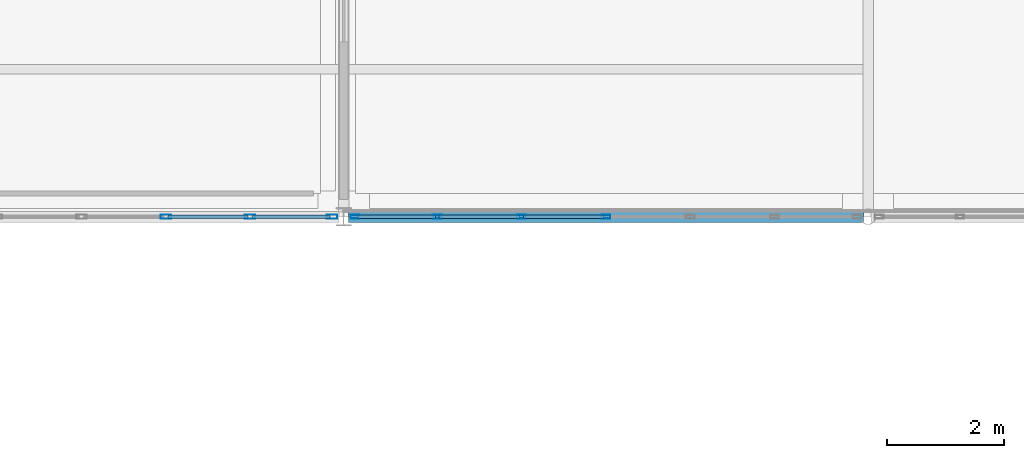
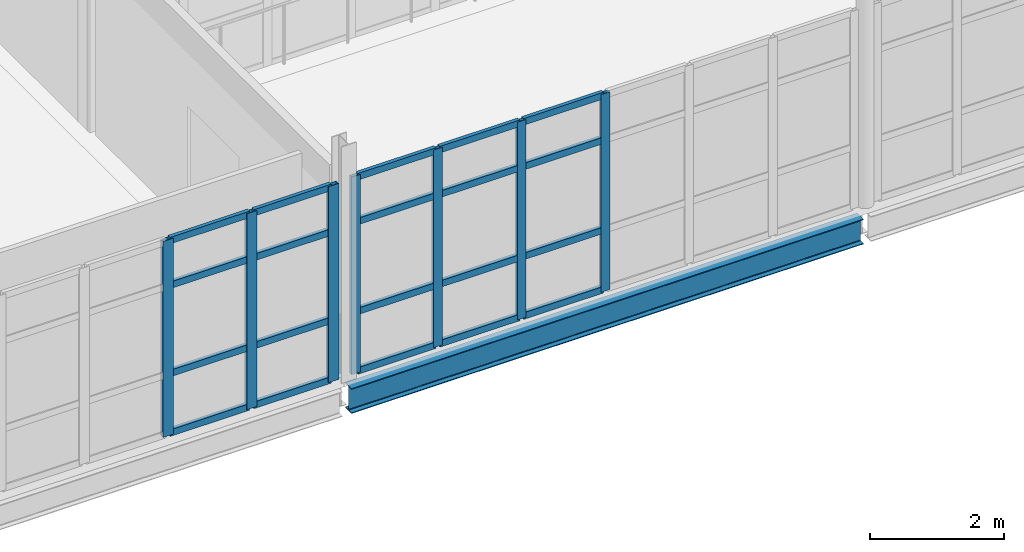
# One storey, part 92 of 174: 27 members, 1 beam, 2 elements without a shape of their own.
"""IFC4 building model written with IfcOpenShell, lengths in metres."""

from ifc_helpers import new_model, si_unit, direction, frame, origin, origin_2d, place, context, subcontext, project, spatial, hollow_rectangle, i_section, extrude, material, material_profile, profile_set, type_object, element, aggregate, save


model = new_model("IFC4")

# Units and contexts
model_context = context("Model", 3, precision=1e-05, world=origin(), true_north=direction((0.0, 1.0)))
body_context = subcontext(model_context, "Body", "Model", "MODEL_VIEW")
ifc_project = project(units=[si_unit("LENGTHUNIT", "METRE"), si_unit("AREAUNIT", "SQUARE_METRE"), si_unit("VOLUMEUNIT", "CUBIC_METRE"), si_unit("PLANEANGLEUNIT", "RADIAN"), si_unit("MASSUNIT", "GRAM", prefix="KILO")], contexts=[model_context])

# Site, building, storey
site_placement = place(None, origin())
site = spatial("IfcSite", under=ifc_project, at=site_placement, CompositionType="ELEMENT")
building_placement = place(site_placement, origin())
building = spatial("IfcBuilding", under=site, at=building_placement, Name="Caisbarro Railhouse Central Library", CompositionType="ELEMENT")
storey_placement = place(building_placement, frame((0.0, 0.0, 5.0400390625)))
storey = spatial("IfcBuildingStorey", under=building, at=storey_placement, Name="L01", CompositionType="ELEMENT", Elevation=5.0400390625)

# Beam
ifc_material_1 = material(Name="Steel ASTM A572 Grade 50", Category="steel")
ifc_material_profile_1 = material_profile(ifc_material_1, i_section(OverallWidth=0.18994140625, OverallDepth=0.45703125, WebThickness=0.009033203125, FlangeThickness=0.014404296875, FilletRadius=0.01806640625, at=origin_2d()), Name="W460X74.0")
ifc_profile_set_1 = profile_set([ifc_material_profile_1], Name="Steel ASTM A572 Grade 50")
beam_type = type_object("IfcBeamType", Name="BM-SP01", PredefinedType="SPANDREL", material=ifc_profile_set_1)
beam_placement = place(storey_placement, frame((99.080078125, 83.60009765625, -0.428466796875), z_axis=(1.0, 0.0, 0.0), x_axis=(0.0, 1.0, 0.0)))
element("IfcBeam", 1, at=beam_placement, inside=storey, type_object=beam_type, Name="SP01 beam L01 #1260", PredefinedType="SPANDREL", context=body_context, shape_type="SweptSolid", body=[
    extrude(i_section(OverallWidth=0.18994140625, OverallDepth=0.45703125, WebThickness=0.009033203125, FlangeThickness=0.014404296875, FilletRadius=0.01806640625, at=origin_2d()), origin(), (0.0, 0.0, 1.0), 8.83984375),
])

# Curtain wall, members
ifc_material_2 = material(Name="Anodised architectural aluminium", Category="aluminium")
curtain_wall_type_1 = type_object("IfcCurtainWallType", Name="CW-CW02", PredefinedType="NOTDEFINED", material=ifc_material_2)
curtain_wall_1_placement = place(storey_placement, origin())
curtain_wall_1 = element("IfcCurtainWall", 2, at=curtain_wall_1_placement, inside=storey, type_object=curtain_wall_type_1, Name="CW02 curtain wall L01 #178", PredefinedType="NOTDEFINED")
ifc_material_profile_2 = material_profile(ifc_material_2, hollow_rectangle(XDim=0.074951171875, YDim=0.179931640625, WallThickness=0.00439453125, at=origin_2d()), Name="ALU-MUL-75X180")
ifc_profile_set_2 = profile_set([ifc_material_profile_2], Name="Anodised architectural aluminium")
member_type_1 = type_object("IfcMemberType", Name="CWM-M01", PredefinedType="MULLION", material=ifc_profile_set_2)
member_1_placement = place(storey_placement, frame((95.94677734375, 83.60009765625, 0.0), z_axis=(0.0, 0.0, 1.0), x_axis=(0.0, 1.0, 0.0)))
member_1 = element("IfcMember", 3, at=member_1_placement, type_object=member_type_1, Name="CW02 mullion 5", PredefinedType="MULLION", context=body_context, shape_type="SweptSolid", body=[
    extrude(hollow_rectangle(XDim=0.074951171875, YDim=0.179931640625, WallThickness=0.00439453125, at=origin_2d()), origin(), (0.0, 0.0, 1.0), 3.580078125),
])
member_2_placement = place(storey_placement, frame((97.393310546875, 83.60009765625, 0.0), z_axis=(0.0, 0.0, 1.0), x_axis=(0.0, 1.0, 0.0)))
member_2 = element("IfcMember", 4, at=member_2_placement, type_object=member_type_1, Name="CW02 mullion 6", PredefinedType="MULLION", context=body_context, shape_type="SweptSolid", body=[
    extrude(hollow_rectangle(XDim=0.074951171875, YDim=0.179931640625, WallThickness=0.00439453125, at=origin_2d()), origin(), (0.0, 0.0, 1.0), 3.580078125),
])
member_3_placement = place(storey_placement, frame((98.802490234375, 83.60009765625, 0.0), z_axis=(0.0, 0.0, 1.0), x_axis=(0.0, 1.0, 0.0)))
member_3 = element("IfcMember", 5, at=member_3_placement, type_object=member_type_1, Name="CW02 mullion 7", PredefinedType="MULLION", context=body_context, shape_type="SweptSolid", body=[
    extrude(hollow_rectangle(XDim=0.074951171875, YDim=0.179931640625, WallThickness=0.00439453125, at=origin_2d()), origin(), (0.0, 0.0, 1.0), 3.580078125),
])

curtain_wall_type_2 = type_object("IfcCurtainWallType", Name="CW-CW03", PredefinedType="NOTDEFINED", material=ifc_material_2)
curtain_wall_2_placement = place(storey_placement, origin())
curtain_wall_2 = element("IfcCurtainWall", 6, at=curtain_wall_2_placement, inside=storey, type_object=curtain_wall_type_2, Name="CW03 curtain wall L01 #198", PredefinedType="NOTDEFINED")
ifc_material_profile_3 = material_profile(ifc_material_2, hollow_rectangle(XDim=0.06494140625, YDim=0.14990234375, WallThickness=0.00390625, at=origin_2d()), Name="ALU-MUL-65X150")
ifc_profile_set_3 = profile_set([ifc_material_profile_3], Name="Anodised architectural aluminium")
member_type_2 = type_object("IfcMemberType", Name="CWM-M02", PredefinedType="MULLION", material=ifc_profile_set_3)
member_4_placement = place(storey_placement, frame((99.1923828125, 83.60009765625, 0.0), z_axis=(0.0, 0.0, 1.0), x_axis=(0.0, 1.0, 0.0)))
member_4 = element("IfcMember", 7, at=member_4_placement, type_object=member_type_2, Name="CW03 mullion 1", PredefinedType="MULLION", context=body_context, shape_type="SweptSolid", body=[
    extrude(hollow_rectangle(XDim=0.06494140625, YDim=0.14990234375, WallThickness=0.00390625, at=origin_2d()), origin(), (0.0, 0.0, 1.0), 3.60986328125),
])
member_5_placement = place(storey_placement, frame((100.606689453125, 83.60009765625, 0.0), z_axis=(0.0, 0.0, 1.0), x_axis=(0.0, 1.0, 0.0)))
member_5 = element("IfcMember", 8, at=member_5_placement, type_object=member_type_2, Name="CW03 mullion 2", PredefinedType="MULLION", context=body_context, shape_type="SweptSolid", body=[
    extrude(hollow_rectangle(XDim=0.06494140625, YDim=0.14990234375, WallThickness=0.00390625, at=origin_2d()), origin(), (0.0, 0.0, 1.0), 3.60986328125),
])
member_6_placement = place(storey_placement, frame((102.05322265625, 83.60009765625, 0.0), z_axis=(0.0, 0.0, 1.0), x_axis=(0.0, 1.0, 0.0)))
member_6 = element("IfcMember", 9, at=member_6_placement, type_object=member_type_2, Name="CW03 mullion 3", PredefinedType="MULLION", context=body_context, shape_type="SweptSolid", body=[
    extrude(hollow_rectangle(XDim=0.06494140625, YDim=0.14990234375, WallThickness=0.00390625, at=origin_2d()), origin(), (0.0, 0.0, 1.0), 3.60986328125),
])
member_7_placement = place(storey_placement, frame((103.5, 83.60009765625, 0.0), z_axis=(0.0, 0.0, 1.0), x_axis=(0.0, 1.0, 0.0)))
member_7 = element("IfcMember", 10, at=member_7_placement, type_object=member_type_2, Name="CW03 mullion 4", PredefinedType="MULLION", context=body_context, shape_type="SweptSolid", body=[
    extrude(hollow_rectangle(XDim=0.06494140625, YDim=0.14990234375, WallThickness=0.00390625, at=origin_2d()), origin(), (0.0, 0.0, 1.0), 3.60986328125),
])

# Member
ifc_material_profile_4 = material_profile(ifc_material_2, hollow_rectangle(XDim=0.06494140625, YDim=0.1201171875, WallThickness=0.00341796875, at=origin_2d()), Name="ALU-TRN-65X120")
ifc_profile_set_4 = profile_set([ifc_material_profile_4], Name="Anodised architectural aluminium")
member_type_3 = type_object("IfcMemberType", Name="CWT-T02", PredefinedType="USERDEFINED", material=ifc_profile_set_4)
member_8_placement = place(storey_placement, frame((95.984130859375, 83.60009765625, 0.032470703125), z_axis=(1.0, 0.0, 0.0), x_axis=(0.0, 1.0, 0.0)))
member_8 = element("IfcMember", 11, at=member_8_placement, type_object=member_type_3, Name="CW02 transom 5.1", ObjectType="TRANSOM", PredefinedType="USERDEFINED", context=body_context, shape_type="SweptSolid", body=[
    extrude(hollow_rectangle(XDim=0.06494140625, YDim=0.1201171875, WallThickness=0.00341796875, at=origin_2d()), origin(), (0.0, 0.0, 1.0), 1.37158203125),
])

member_9_placement = place(storey_placement, frame((95.984130859375, 83.60009765625, 1.119873046875), z_axis=(1.0, 0.0, 0.0), x_axis=(0.0, 1.0, 0.0)))
member_9 = element("IfcMember", 12, at=member_9_placement, type_object=member_type_3, Name="CW02 transom 5.2", ObjectType="TRANSOM", PredefinedType="USERDEFINED", context=body_context, shape_type="SweptSolid", body=[
    extrude(hollow_rectangle(XDim=0.06494140625, YDim=0.1201171875, WallThickness=0.00341796875, at=origin_2d()), origin(), (0.0, 0.0, 1.0), 1.37158203125),
])

member_10_placement = place(storey_placement, frame((95.984130859375, 83.60009765625, 2.72998046875), z_axis=(1.0, 0.0, 0.0), x_axis=(0.0, 1.0, 0.0)))
member_10 = element("IfcMember", 13, at=member_10_placement, type_object=member_type_3, Name="CW02 transom 5.3", ObjectType="TRANSOM", PredefinedType="USERDEFINED", context=body_context, shape_type="SweptSolid", body=[
    extrude(hollow_rectangle(XDim=0.06494140625, YDim=0.1201171875, WallThickness=0.00341796875, at=origin_2d()), origin(), (0.0, 0.0, 1.0), 1.37158203125),
])

member_11_placement = place(storey_placement, frame((95.984130859375, 83.60009765625, 3.54736328125), z_axis=(1.0, 0.0, 0.0), x_axis=(0.0, 1.0, 0.0)))
member_11 = element("IfcMember", 14, at=member_11_placement, type_object=member_type_3, Name="CW02 transom 5.4", ObjectType="TRANSOM", PredefinedType="USERDEFINED", context=body_context, shape_type="SweptSolid", body=[
    extrude(hollow_rectangle(XDim=0.06494140625, YDim=0.1201171875, WallThickness=0.00341796875, at=origin_2d()), origin(), (0.0, 0.0, 1.0), 1.37158203125),
])

member_12_placement = place(storey_placement, frame((97.430908203125, 83.60009765625, 0.032470703125), z_axis=(1.0, 0.0, 0.0), x_axis=(0.0, 1.0, 0.0)))
member_12 = element("IfcMember", 15, at=member_12_placement, type_object=member_type_3, Name="CW02 transom 6.1", ObjectType="TRANSOM", PredefinedType="USERDEFINED", context=body_context, shape_type="SweptSolid", body=[
    extrude(hollow_rectangle(XDim=0.06494140625, YDim=0.1201171875, WallThickness=0.00341796875, at=origin_2d()), origin(), (0.0, 0.0, 1.0), 1.333984375),
])

member_13_placement = place(storey_placement, frame((97.430908203125, 83.60009765625, 1.119873046875), z_axis=(1.0, 0.0, 0.0), x_axis=(0.0, 1.0, 0.0)))
member_13 = element("IfcMember", 16, at=member_13_placement, type_object=member_type_3, Name="CW02 transom 6.2", ObjectType="TRANSOM", PredefinedType="USERDEFINED", context=body_context, shape_type="SweptSolid", body=[
    extrude(hollow_rectangle(XDim=0.06494140625, YDim=0.1201171875, WallThickness=0.00341796875, at=origin_2d()), origin(), (0.0, 0.0, 1.0), 1.333984375),
])

member_14_placement = place(storey_placement, frame((97.430908203125, 83.60009765625, 2.72998046875), z_axis=(1.0, 0.0, 0.0), x_axis=(0.0, 1.0, 0.0)))
member_14 = element("IfcMember", 17, at=member_14_placement, type_object=member_type_3, Name="CW02 transom 6.3", ObjectType="TRANSOM", PredefinedType="USERDEFINED", context=body_context, shape_type="SweptSolid", body=[
    extrude(hollow_rectangle(XDim=0.06494140625, YDim=0.1201171875, WallThickness=0.00341796875, at=origin_2d()), origin(), (0.0, 0.0, 1.0), 1.333984375),
])

member_15_placement = place(storey_placement, frame((97.430908203125, 83.60009765625, 3.54736328125), z_axis=(1.0, 0.0, 0.0), x_axis=(0.0, 1.0, 0.0)))
member_15 = element("IfcMember", 18, at=member_15_placement, type_object=member_type_3, Name="CW02 transom 6.4", ObjectType="TRANSOM", PredefinedType="USERDEFINED", context=body_context, shape_type="SweptSolid", body=[
    extrude(hollow_rectangle(XDim=0.06494140625, YDim=0.1201171875, WallThickness=0.00341796875, at=origin_2d()), origin(), (0.0, 0.0, 1.0), 1.333984375),
])

aggregate(curtain_wall_1, [member_1, member_2, member_3, member_8, member_9, member_10, member_11, member_12, member_13, member_14, member_15])

member_16_placement = place(storey_placement, frame((99.22509765625, 83.60009765625, 0.032470703125), z_axis=(1.0, 0.0, 0.0), x_axis=(0.0, 1.0, 0.0)))
member_16 = element("IfcMember", 19, at=member_16_placement, type_object=member_type_3, Name="CW03 transom 1.1", ObjectType="TRANSOM", PredefinedType="USERDEFINED", context=body_context, shape_type="SweptSolid", body=[
    extrude(hollow_rectangle(XDim=0.06494140625, YDim=0.1201171875, WallThickness=0.00341796875, at=origin_2d()), origin(), (0.0, 0.0, 1.0), 1.34912109375),
])

member_17_placement = place(storey_placement, frame((99.22509765625, 83.60009765625, 1.119873046875), z_axis=(1.0, 0.0, 0.0), x_axis=(0.0, 1.0, 0.0)))
member_17 = element("IfcMember", 20, at=member_17_placement, type_object=member_type_3, Name="CW03 transom 1.2", ObjectType="TRANSOM", PredefinedType="USERDEFINED", context=body_context, shape_type="SweptSolid", body=[
    extrude(hollow_rectangle(XDim=0.06494140625, YDim=0.1201171875, WallThickness=0.00341796875, at=origin_2d()), origin(), (0.0, 0.0, 1.0), 1.34912109375),
])

member_18_placement = place(storey_placement, frame((99.22509765625, 83.60009765625, 2.760009765625), z_axis=(1.0, 0.0, 0.0), x_axis=(0.0, 1.0, 0.0)))
member_18 = element("IfcMember", 21, at=member_18_placement, type_object=member_type_3, Name="CW03 transom 1.3", ObjectType="TRANSOM", PredefinedType="USERDEFINED", context=body_context, shape_type="SweptSolid", body=[
    extrude(hollow_rectangle(XDim=0.06494140625, YDim=0.1201171875, WallThickness=0.00341796875, at=origin_2d()), origin(), (0.0, 0.0, 1.0), 1.34912109375),
])

member_19_placement = place(storey_placement, frame((99.22509765625, 83.60009765625, 3.577392578125), z_axis=(1.0, 0.0, 0.0), x_axis=(0.0, 1.0, 0.0)))
member_19 = element("IfcMember", 22, at=member_19_placement, type_object=member_type_3, Name="CW03 transom 1.4", ObjectType="TRANSOM", PredefinedType="USERDEFINED", context=body_context, shape_type="SweptSolid", body=[
    extrude(hollow_rectangle(XDim=0.06494140625, YDim=0.1201171875, WallThickness=0.00341796875, at=origin_2d()), origin(), (0.0, 0.0, 1.0), 1.34912109375),
])

member_20_placement = place(storey_placement, frame((100.63916015625, 83.60009765625, 0.032470703125), z_axis=(1.0, 0.0, 0.0), x_axis=(0.0, 1.0, 0.0)))
member_20 = element("IfcMember", 23, at=member_20_placement, type_object=member_type_3, Name="CW03 transom 2.1", ObjectType="TRANSOM", PredefinedType="USERDEFINED", context=body_context, shape_type="SweptSolid", body=[
    extrude(hollow_rectangle(XDim=0.06494140625, YDim=0.1201171875, WallThickness=0.00341796875, at=origin_2d()), origin(), (0.0, 0.0, 1.0), 1.381591796875),
])

member_21_placement = place(storey_placement, frame((100.63916015625, 83.60009765625, 1.119873046875), z_axis=(1.0, 0.0, 0.0), x_axis=(0.0, 1.0, 0.0)))
member_21 = element("IfcMember", 24, at=member_21_placement, type_object=member_type_3, Name="CW03 transom 2.2", ObjectType="TRANSOM", PredefinedType="USERDEFINED", context=body_context, shape_type="SweptSolid", body=[
    extrude(hollow_rectangle(XDim=0.06494140625, YDim=0.1201171875, WallThickness=0.00341796875, at=origin_2d()), origin(), (0.0, 0.0, 1.0), 1.381591796875),
])

member_22_placement = place(storey_placement, frame((100.63916015625, 83.60009765625, 2.760009765625), z_axis=(1.0, 0.0, 0.0), x_axis=(0.0, 1.0, 0.0)))
member_22 = element("IfcMember", 25, at=member_22_placement, type_object=member_type_3, Name="CW03 transom 2.3", ObjectType="TRANSOM", PredefinedType="USERDEFINED", context=body_context, shape_type="SweptSolid", body=[
    extrude(hollow_rectangle(XDim=0.06494140625, YDim=0.1201171875, WallThickness=0.00341796875, at=origin_2d()), origin(), (0.0, 0.0, 1.0), 1.381591796875),
])

member_23_placement = place(storey_placement, frame((100.63916015625, 83.60009765625, 3.577392578125), z_axis=(1.0, 0.0, 0.0), x_axis=(0.0, 1.0, 0.0)))
member_23 = element("IfcMember", 26, at=member_23_placement, type_object=member_type_3, Name="CW03 transom 2.4", ObjectType="TRANSOM", PredefinedType="USERDEFINED", context=body_context, shape_type="SweptSolid", body=[
    extrude(hollow_rectangle(XDim=0.06494140625, YDim=0.1201171875, WallThickness=0.00341796875, at=origin_2d()), origin(), (0.0, 0.0, 1.0), 1.381591796875),
])

member_24_placement = place(storey_placement, frame((102.0859375, 83.60009765625, 0.032470703125), z_axis=(1.0, 0.0, 0.0), x_axis=(0.0, 1.0, 0.0)))
member_24 = element("IfcMember", 27, at=member_24_placement, type_object=member_type_3, Name="CW03 transom 3.1", ObjectType="TRANSOM", PredefinedType="USERDEFINED", context=body_context, shape_type="SweptSolid", body=[
    extrude(hollow_rectangle(XDim=0.06494140625, YDim=0.1201171875, WallThickness=0.00341796875, at=origin_2d()), origin(), (0.0, 0.0, 1.0), 1.381591796875),
])

member_25_placement = place(storey_placement, frame((102.0859375, 83.60009765625, 1.119873046875), z_axis=(1.0, 0.0, 0.0), x_axis=(0.0, 1.0, 0.0)))
member_25 = element("IfcMember", 28, at=member_25_placement, type_object=member_type_3, Name="CW03 transom 3.2", ObjectType="TRANSOM", PredefinedType="USERDEFINED", context=body_context, shape_type="SweptSolid", body=[
    extrude(hollow_rectangle(XDim=0.06494140625, YDim=0.1201171875, WallThickness=0.00341796875, at=origin_2d()), origin(), (0.0, 0.0, 1.0), 1.381591796875),
])

member_26_placement = place(storey_placement, frame((102.0859375, 83.60009765625, 2.760009765625), z_axis=(1.0, 0.0, 0.0), x_axis=(0.0, 1.0, 0.0)))
member_26 = element("IfcMember", 29, at=member_26_placement, type_object=member_type_3, Name="CW03 transom 3.3", ObjectType="TRANSOM", PredefinedType="USERDEFINED", context=body_context, shape_type="SweptSolid", body=[
    extrude(hollow_rectangle(XDim=0.06494140625, YDim=0.1201171875, WallThickness=0.00341796875, at=origin_2d()), origin(), (0.0, 0.0, 1.0), 1.381591796875),
])

member_27_placement = place(storey_placement, frame((102.0859375, 83.60009765625, 3.577392578125), z_axis=(1.0, 0.0, 0.0), x_axis=(0.0, 1.0, 0.0)))
member_27 = element("IfcMember", 30, at=member_27_placement, type_object=member_type_3, Name="CW03 transom 3.4", ObjectType="TRANSOM", PredefinedType="USERDEFINED", context=body_context, shape_type="SweptSolid", body=[
    extrude(hollow_rectangle(XDim=0.06494140625, YDim=0.1201171875, WallThickness=0.00341796875, at=origin_2d()), origin(), (0.0, 0.0, 1.0), 1.381591796875),
])

aggregate(curtain_wall_2, [member_4, member_5, member_6, member_7, member_16, member_17, member_18, member_19, member_20, member_21, member_22, member_23, member_24, member_25, member_26, member_27])

save(model, "model.ifc")
